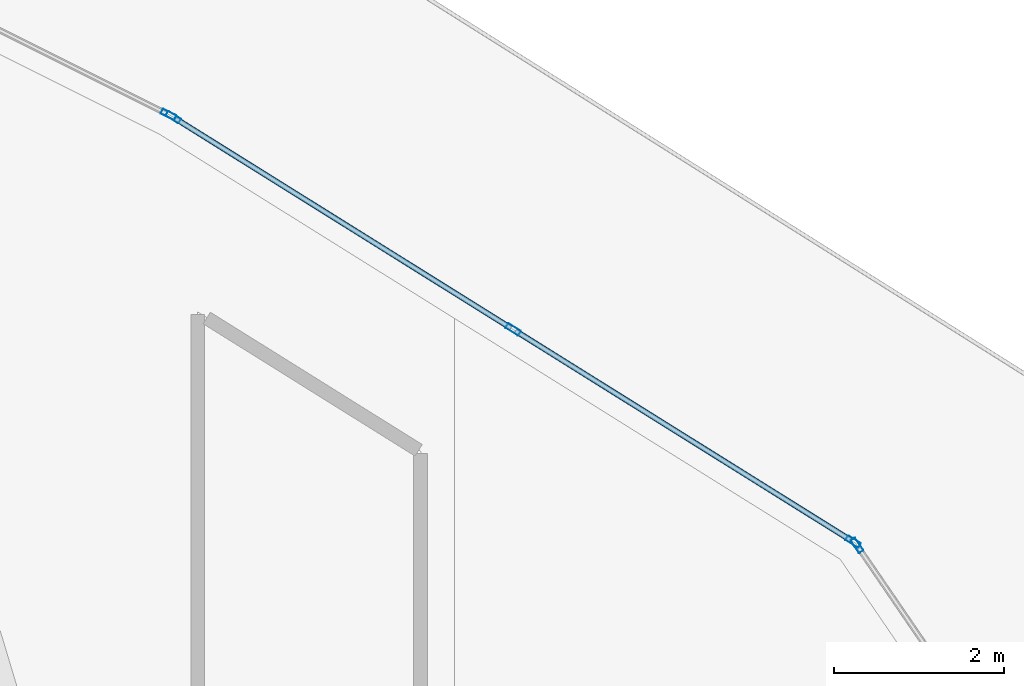
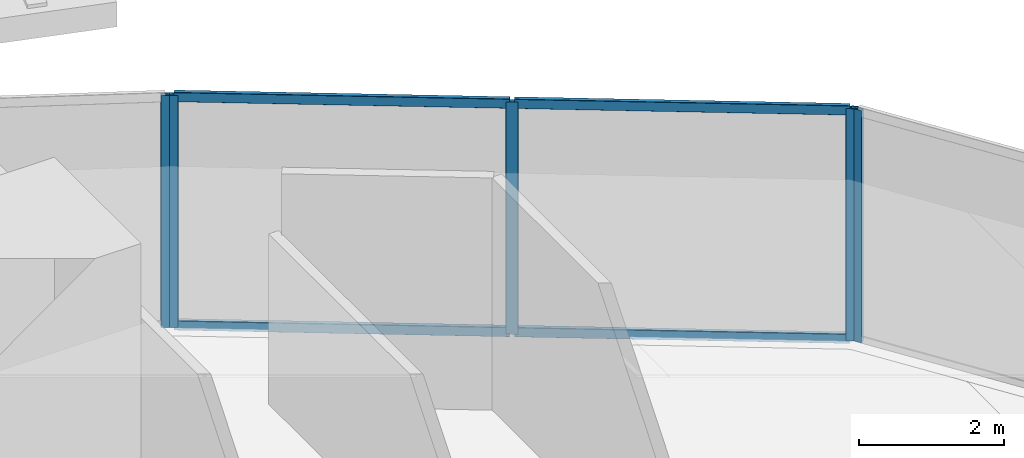
# One storey, part 25 of 45: 9 members, 3 elements without a shape of their own.
"""IFC4 building model written with IfcOpenShell, lengths in metres."""

from ifc_helpers import new_model, si_unit, direction, frame, origin, origin_2d, place, context, subcontext, project, spatial, hollow_rectangle, extrude, material, layer, layer_set, material_profile, profile_set, type_object, element, aggregate, save


model = new_model("IFC4")

# Units and contexts
model_context = context("Model", 3, precision=1e-05, world=origin(), true_north=direction((0.0, 1.0)))
body_context = subcontext(model_context, "Body", "Model", "MODEL_VIEW")
ifc_project = project(units=[si_unit("LENGTHUNIT", "METRE"), si_unit("AREAUNIT", "SQUARE_METRE"), si_unit("VOLUMEUNIT", "CUBIC_METRE"), si_unit("PLANEANGLEUNIT", "RADIAN"), si_unit("MASSUNIT", "GRAM", prefix="KILO")], contexts=[model_context])

# Site, building, storey
site_placement = place(None, origin())
site = spatial("IfcSite", under=ifc_project, at=site_placement, CompositionType="ELEMENT")
building_placement = place(site_placement, origin())
building = spatial("IfcBuilding", under=site, at=building_placement, Name="Qorvath Tower", CompositionType="ELEMENT")
storey_placement = place(building_placement, frame((0.0, 0.0, 91.199951171875)))
storey = spatial("IfcBuildingStorey", under=building, at=storey_placement, Name="L20", CompositionType="ELEMENT", Elevation=91.199951171875)

# Curtain wall, member
ifc_material_1 = material(Name="Anodised aluminium and triple low-E glass", Category="aluminium")
ifc_layer = layer(ifc_material_1, 0.179931640625)
ifc_layer_set = layer_set([ifc_layer], Name="CW-SYS-2")
curtain_wall_type = type_object("IfcCurtainWallType", Name="CW-SYS-2", PredefinedType="NOTDEFINED", material=ifc_layer_set)
curtain_wall_1_placement = place(storey_placement, origin())
curtain_wall_1 = element("IfcCurtainWall", 1, at=curtain_wall_1_placement, inside=storey, type_object=curtain_wall_type, Name="Curtain Wall CW-2 CW-T-L20-13.1", PredefinedType="NOTDEFINED")
ifc_material_2 = material(Name="Anodised aluminium 6063-T6", Category="aluminium")
ifc_material_profile_1 = material_profile(ifc_material_2, hollow_rectangle(XDim=0.06494140625, YDim=0.179931640625, WallThickness=0.00341796875, InnerFilletRadius=0.00341796875, OuterFilletRadius=0.007080078125, at=origin_2d()), Name="CWM 180x65")
ifc_profile_set_1 = profile_set([ifc_material_profile_1], Name="Anodised aluminium 6063-T6")
member_type_1 = type_object("IfcMemberType", Name="CWM-180", PredefinedType="MULLION", material=ifc_profile_set_1)
member_1_placement = place(storey_placement, frame((-2.86376953125, 24.353759765625, 0.0), z_axis=(0.0, 0.0, 1.0), x_axis=(-0.825732659314, -0.564061676895, 0.0)))
member_1 = element("IfcMember", 2, at=member_1_placement, type_object=member_type_1, Name="CW-2 mullion 2", PredefinedType="MULLION", context=body_context, shape_type="SweptSolid", body=[
    extrude(hollow_rectangle(XDim=0.06494140625, YDim=0.179931640625, WallThickness=0.00341796875, InnerFilletRadius=0.00341796875, OuterFilletRadius=0.007080078125, at=origin_2d()), origin(), (0.0, 0.0, 1.0), 3.920166015625),
])
aggregate(curtain_wall_1, [member_1])

# Curtain wall, members
curtain_wall_2_placement = place(storey_placement, origin())
curtain_wall_2 = element("IfcCurtainWall", 3, at=curtain_wall_2_placement, inside=storey, type_object=curtain_wall_type, Name="Curtain Wall CW-2 CW-T-L20-14.1", PredefinedType="NOTDEFINED")
member_2_placement = place(storey_placement, frame((-2.90966796875, 24.397705078125, 0.0), z_axis=(0.0, 0.0, 1.0), x_axis=(-0.529595857203, -0.848250097573, 0.0)))
member_2 = element("IfcMember", 4, at=member_2_placement, type_object=member_type_1, Name="CW-2 mullion 1", PredefinedType="MULLION", context=body_context, shape_type="SweptSolid", body=[
    extrude(hollow_rectangle(XDim=0.06494140625, YDim=0.179931640625, WallThickness=0.00341796875, InnerFilletRadius=0.00341796875, OuterFilletRadius=0.007080078125, at=origin_2d()), origin(), (0.0, 0.0, 1.0), 3.920166015625),
])
member_3_placement = place(storey_placement, frame((-6.90234375, 26.890625, 0.0), z_axis=(0.0, 0.0, 1.0), x_axis=(-0.529595857203, -0.848250097573, 0.0)))
member_3 = element("IfcMember", 5, at=member_3_placement, type_object=member_type_1, Name="CW-2 mullion 2", PredefinedType="MULLION", context=body_context, shape_type="SweptSolid", body=[
    extrude(hollow_rectangle(XDim=0.06494140625, YDim=0.179931640625, WallThickness=0.00341796875, InnerFilletRadius=0.00341796875, OuterFilletRadius=0.007080078125, at=origin_2d()), origin(), (0.0, 0.0, 1.0), 3.920166015625),
])
member_4_placement = place(storey_placement, frame((-10.89501953125, 29.38330078125, 0.0), z_axis=(0.0, 0.0, 1.0), x_axis=(-0.529595857203, -0.848250097573, 0.0)))
member_4 = element("IfcMember", 6, at=member_4_placement, type_object=member_type_1, Name="CW-2 mullion 3", PredefinedType="MULLION", context=body_context, shape_type="SweptSolid", body=[
    extrude(hollow_rectangle(XDim=0.06494140625, YDim=0.179931640625, WallThickness=0.00341796875, InnerFilletRadius=0.00341796875, OuterFilletRadius=0.007080078125, at=origin_2d()), origin(), (0.0, 0.0, 1.0), 3.920166015625),
])

# Curtain wall, member
curtain_wall_3_placement = place(storey_placement, origin())
curtain_wall_3 = element("IfcCurtainWall", 7, at=curtain_wall_3_placement, inside=storey, type_object=curtain_wall_type, Name="Curtain Wall CW-2 CW-T-L20-15.1", PredefinedType="NOTDEFINED")
member_5_placement = place(storey_placement, frame((-10.95166015625, 29.4150390625, 0.0), z_axis=(0.0, 0.0, 1.0), x_axis=(-0.447245233408, -0.894411371347, 0.0)))
member_5 = element("IfcMember", 8, at=member_5_placement, type_object=member_type_1, Name="CW-2 mullion 1", PredefinedType="MULLION", context=body_context, shape_type="SweptSolid", body=[
    extrude(hollow_rectangle(XDim=0.06494140625, YDim=0.179931640625, WallThickness=0.00341796875, InnerFilletRadius=0.00341796875, OuterFilletRadius=0.007080078125, at=origin_2d()), origin(), (0.0, 0.0, 1.0), 3.920166015625),
])
aggregate(curtain_wall_3, [member_5])

# Member
ifc_material_3 = material(Name="Anodised aluminium 6063-T6", Category="aluminium")
ifc_material_profile_2 = material_profile(ifc_material_3, hollow_rectangle(XDim=0.06494140625, YDim=0.159912109375, WallThickness=0.00341796875, InnerFilletRadius=0.00341796875, OuterFilletRadius=0.007080078125, at=origin_2d()), Name="CWT 160x65")
ifc_profile_set_2 = profile_set([ifc_material_profile_2], Name="Anodised aluminium 6063-T6")
member_type_2 = type_object("IfcMemberType", Name="CWT-160", PredefinedType="USERDEFINED", material=ifc_profile_set_2)
member_6_placement = place(storey_placement, frame((-2.937255859375, 24.4150390625, 0.032470703125), z_axis=(-0.848258224033, 0.529582840885, 0.0), x_axis=(-0.529582840885, -0.848258224033, 0.0)))
member_6 = element("IfcMember", 9, at=member_6_placement, type_object=member_type_2, Name="CW-2 transom 1.1", ObjectType="TRANSOM", PredefinedType="USERDEFINED", context=body_context, shape_type="SweptSolid", body=[
    extrude(hollow_rectangle(XDim=0.06494140625, YDim=0.159912109375, WallThickness=0.00341796875, InnerFilletRadius=0.00341796875, OuterFilletRadius=0.007080078125, at=origin_2d()), origin(), (0.0, 0.0, 1.0), 4.641845703125),
])

member_7_placement = place(storey_placement, frame((-2.937255859375, 24.4150390625, 3.8876953125), z_axis=(-0.848258224033, 0.529582840885, 0.0), x_axis=(-0.529582840885, -0.848258224033, 0.0)))
member_7 = element("IfcMember", 10, at=member_7_placement, type_object=member_type_2, Name="CW-2 transom 1.2", ObjectType="TRANSOM", PredefinedType="USERDEFINED", context=body_context, shape_type="SweptSolid", body=[
    extrude(hollow_rectangle(XDim=0.06494140625, YDim=0.159912109375, WallThickness=0.00341796875, InnerFilletRadius=0.00341796875, OuterFilletRadius=0.007080078125, at=origin_2d()), origin(), (0.0, 0.0, 1.0), 4.641845703125),
])

member_8_placement = place(storey_placement, frame((-6.929931640625, 26.90771484375, 0.032470703125), z_axis=(-0.848234596795, 0.529620683887, 0.0), x_axis=(-0.529620683887, -0.848234596795, 0.0)))
member_8 = element("IfcMember", 11, at=member_8_placement, type_object=member_type_2, Name="CW-2 transom 2.1", ObjectType="TRANSOM", PredefinedType="USERDEFINED", context=body_context, shape_type="SweptSolid", body=[
    extrude(hollow_rectangle(XDim=0.06494140625, YDim=0.159912109375, WallThickness=0.00341796875, InnerFilletRadius=0.00341796875, OuterFilletRadius=0.007080078125, at=origin_2d()), origin(), (0.0, 0.0, 1.0), 4.64208984375),
])

member_9_placement = place(storey_placement, frame((-6.929931640625, 26.90771484375, 3.8876953125), z_axis=(-0.848234596795, 0.529620683887, 0.0), x_axis=(-0.529620683887, -0.848234596795, 0.0)))
member_9 = element("IfcMember", 12, at=member_9_placement, type_object=member_type_2, Name="CW-2 transom 2.2", ObjectType="TRANSOM", PredefinedType="USERDEFINED", context=body_context, shape_type="SweptSolid", body=[
    extrude(hollow_rectangle(XDim=0.06494140625, YDim=0.159912109375, WallThickness=0.00341796875, InnerFilletRadius=0.00341796875, OuterFilletRadius=0.007080078125, at=origin_2d()), origin(), (0.0, 0.0, 1.0), 4.64208984375),
])

aggregate(curtain_wall_2, [member_2, member_3, member_4, member_6, member_7, member_8, member_9])

save(model, "model.ifc")
